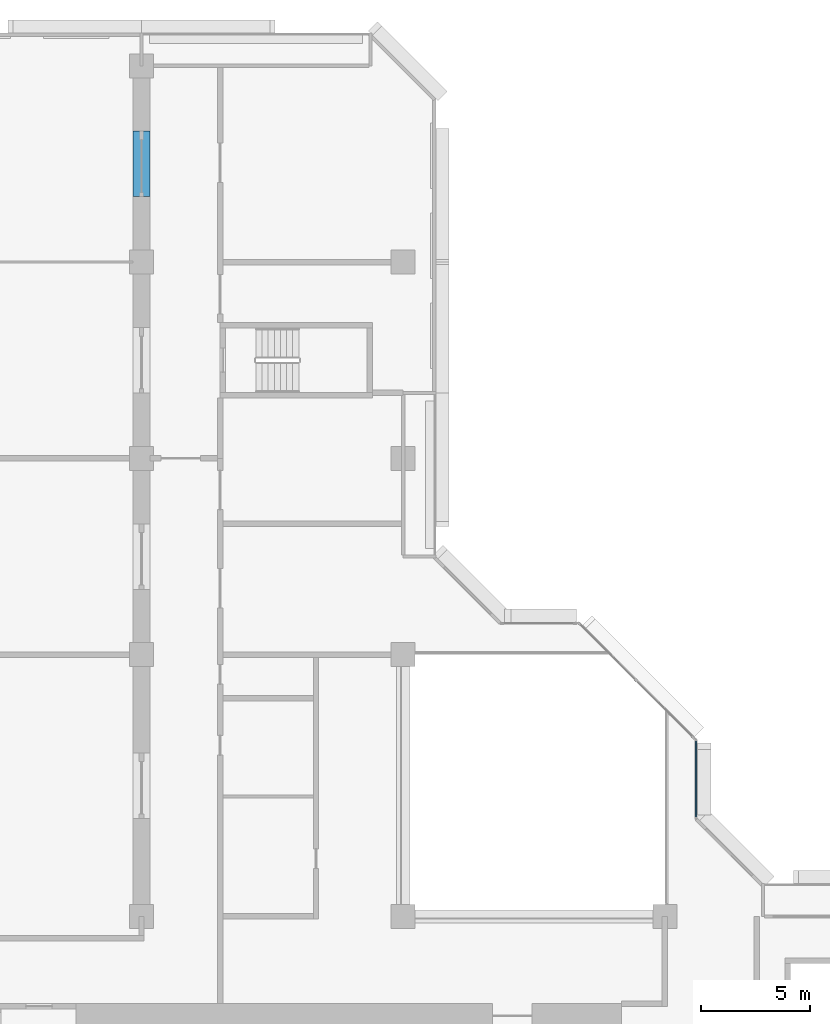
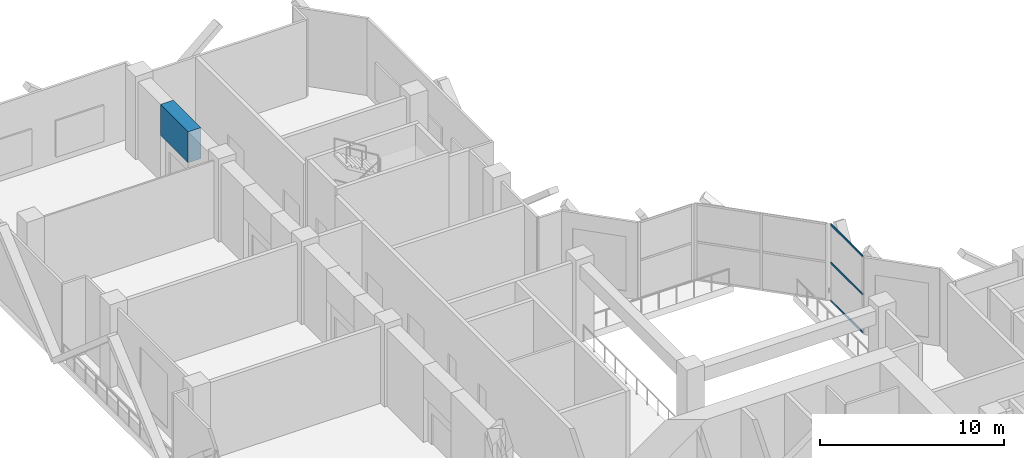
# One storey, part 3 of 14: 3 members, 1 beam, 1 element without a shape of its own.
"""IFC4 building model written with IfcOpenShell, lengths in metres."""

from ifc_helpers import new_model, si_unit, direction, frame, origin, origin_2d, place, context, subcontext, project, spatial, rectangle, extrude, material, layer, layer_set, material_profile, profile_set, type_object, element, aggregate, save


model = new_model("IFC4")

# Units and contexts
model_context = context("Model", 3, precision=1e-05, world=origin(), true_north=direction((0.0, 1.0)))
body_context = subcontext(model_context, "Body", "Model", "MODEL_VIEW")
ifc_project = project(units=[si_unit("LENGTHUNIT", "METRE"), si_unit("AREAUNIT", "SQUARE_METRE"), si_unit("VOLUMEUNIT", "CUBIC_METRE"), si_unit("PLANEANGLEUNIT", "RADIAN"), si_unit("MASSUNIT", "GRAM", prefix="KILO")], contexts=[model_context])

# Site, building, storey
site_placement = place(None, origin())
site = spatial("IfcSite", under=ifc_project, at=site_placement, CompositionType="ELEMENT")
building_placement = place(site_placement, origin())
building = spatial("IfcBuilding", under=site, at=building_placement, Name="Chenar Terraces", CompositionType="ELEMENT")
storey_placement = place(building_placement, frame((0.0, 0.0, 86.39990234375)))
storey = spatial("IfcBuildingStorey", under=building, at=storey_placement, Name="L19", CompositionType="ELEMENT", Elevation=86.39990234375)

# Curtain wall, members
ifc_material_1 = material(Name="Aluminium framed glazing", Category="aluminium")
ifc_layer = layer(ifc_material_1, 0.14990234375)
ifc_layer_set = layer_set([ifc_layer], Name="Aluminium framed glazing")
curtain_wall_type = type_object("IfcCurtainWallType", Name="Atrium curtain wall", PredefinedType="NOTDEFINED", material=ifc_layer_set)
curtain_wall_placement = place(storey_placement, origin())
curtain_wall = element("IfcCurtainWall", 1, at=curtain_wall_placement, inside=storey, type_object=curtain_wall_type, Name="Atrium curtain wall", PredefinedType="NOTDEFINED")
ifc_material_2 = material(Name="Aluminium", Category="aluminium")
ifc_material_profile_1 = material_profile(ifc_material_2, rectangle(XDim=0.06005859375, YDim=0.1201171875, at=origin_2d()), Name="Atrium glazing transom 60 x 120")
ifc_profile_set_1 = profile_set([ifc_material_profile_1], Name="Aluminium")
member_type = type_object("IfcMemberType", Name="Atrium glazing transom 60 x 120", PredefinedType="USERDEFINED", material=ifc_profile_set_1)
member_1_placement = place(storey_placement, frame((37.425048828125, 28.56005859375, 0.030029296875), z_axis=(0.0, 1.0, 0.0), x_axis=(-1.0, 0.0, 0.0)))
member_1 = element("IfcMember", 2, at=member_1_placement, type_object=member_type, Name="CW1-1 transom 1.1", ObjectType="TRANSOM", PredefinedType="USERDEFINED", context=body_context, shape_type="SweptSolid", body=[
    extrude(rectangle(XDim=0.06005859375, YDim=0.1201171875, at=origin_2d()), origin(), (0.0, 0.0, 1.0), 3.47998046875),
])
member_2_placement = place(storey_placement, frame((37.425048828125, 28.56005859375, 2.550048828125), z_axis=(0.0, 1.0, 0.0), x_axis=(-1.0, 0.0, 0.0)))
member_2 = element("IfcMember", 3, at=member_2_placement, type_object=member_type, Name="CW1-1 transom 1.2", ObjectType="TRANSOM", PredefinedType="USERDEFINED", context=body_context, shape_type="SweptSolid", body=[
    extrude(rectangle(XDim=0.06005859375, YDim=0.1201171875, at=origin_2d()), origin(), (0.0, 0.0, 1.0), 3.47998046875),
])
member_3_placement = place(storey_placement, frame((37.425048828125, 28.56005859375, 5.070068359375), z_axis=(0.0, 1.0, 0.0), x_axis=(-1.0, 0.0, 0.0)))
member_3 = element("IfcMember", 4, at=member_3_placement, type_object=member_type, Name="CW1-1 transom 1.3", ObjectType="TRANSOM", PredefinedType="USERDEFINED", context=body_context, shape_type="SweptSolid", body=[
    extrude(rectangle(XDim=0.06005859375, YDim=0.1201171875, at=origin_2d()), origin(), (0.0, 0.0, 1.0), 3.47998046875),
])
aggregate(curtain_wall, [member_1, member_2, member_3])

# Beam
ifc_material_3 = material(Name="Concrete C70/85", Category="concrete")
ifc_material_profile_2 = material_profile(ifc_material_3, rectangle(XDim=0.800048828125, YDim=2.050048828125, at=origin_2d()), Name="RC 800 x 2050")
ifc_profile_set_2 = profile_set([ifc_material_profile_2], Name="Concrete C70/85")
beam_type = type_object("IfcBeamType", Name="Belt lintel beam 800 x 2050 Concrete C70/85", PredefinedType="BEAM", material=ifc_profile_set_2)
beam_placement = place(storey_placement, frame((12.0, 57.0, 4.0751953125), z_axis=(0.0, 1.0, 0.0), x_axis=(-1.0, 0.0, 0.0)))
element("IfcBeam", 5, at=beam_placement, inside=storey, type_object=beam_type, Name="Belt lintel beam L19 B4", PredefinedType="BEAM", context=body_context, shape_type="SweptSolid", body=[
    extrude(rectangle(XDim=0.800048828125, YDim=2.050048828125, at=origin_2d()), origin(), (0.0, 0.0, 1.0), 3.0),
])

save(model, "model.ifc")
